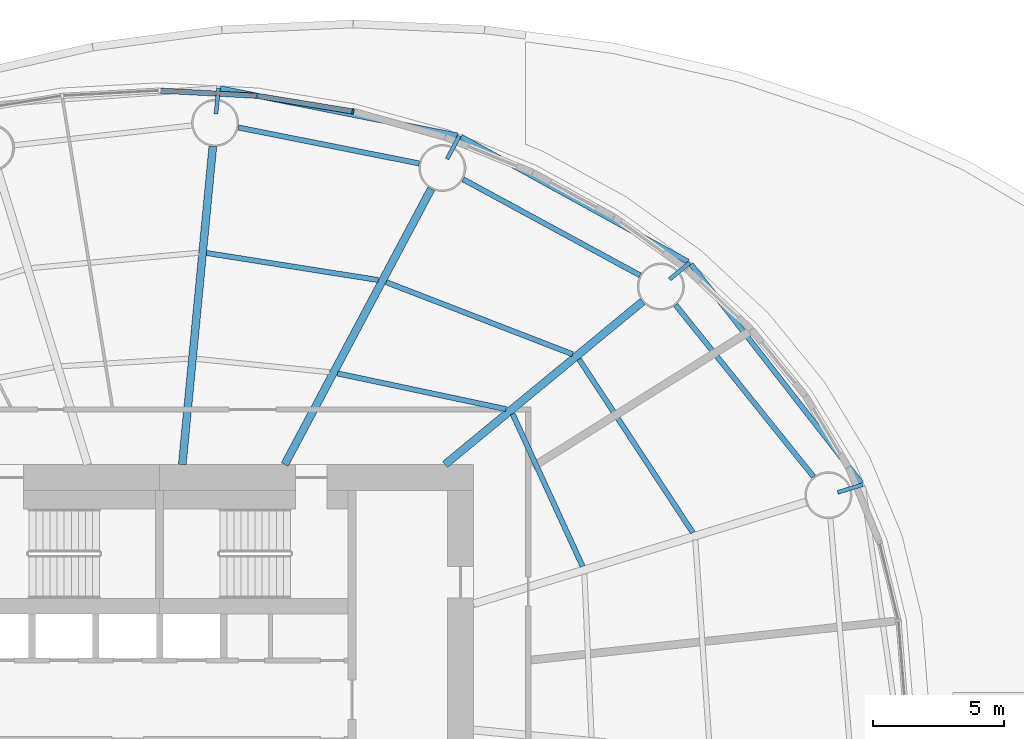
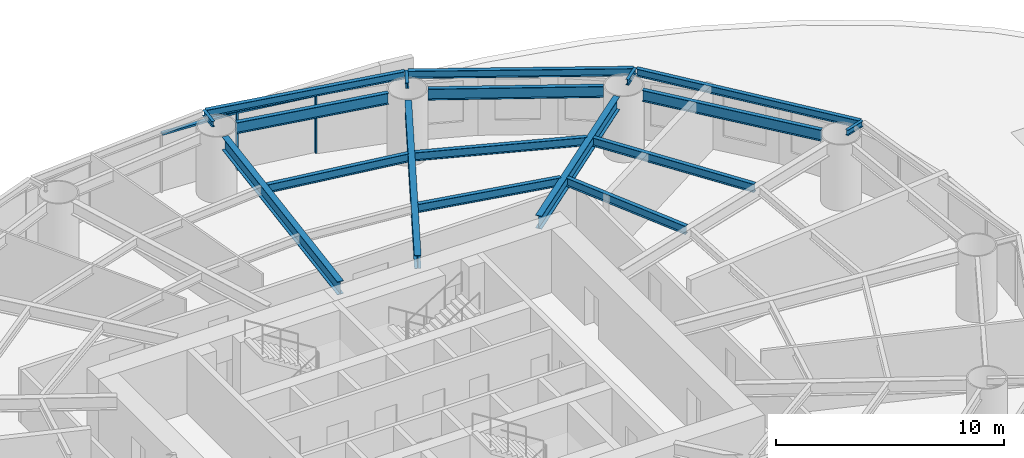
# One storey, part 5 of 11: 18 beams, 4 members, 2 elements without a shape of their own.
"""IFC4 building model written with IfcOpenShell, lengths in metres."""

from ifc_helpers import new_model, si_unit, direction, frame, origin, origin_2d, place, context, subcontext, project, spatial, rectangle, i_section, extrude, material, material_profile, profile_set, type_object, element, aggregate, save


model = new_model("IFC4")

# Units and contexts
model_context = context("Model", 3, precision=1e-05, world=origin(), true_north=direction((0.0, 1.0)))
body_context = subcontext(model_context, "Body", "Model", "MODEL_VIEW")
ifc_project = project(units=[si_unit("LENGTHUNIT", "METRE"), si_unit("AREAUNIT", "SQUARE_METRE"), si_unit("VOLUMEUNIT", "CUBIC_METRE"), si_unit("PLANEANGLEUNIT", "RADIAN"), si_unit("MASSUNIT", "GRAM", prefix="KILO")], contexts=[model_context])

# Site, building, storey
site_placement = place(None, origin())
site = spatial("IfcSite", under=ifc_project, at=site_placement, CompositionType="ELEMENT")
building_placement = place(site_placement, origin())
building = spatial("IfcBuilding", under=site, at=building_placement, Name="Vermilion Reach Broadcast Tower", CompositionType="ELEMENT")
storey_placement = place(building_placement, frame((0.0, 0.0, 36.0)))
storey = spatial("IfcBuildingStorey", under=building, at=storey_placement, Name="L05", CompositionType="ELEMENT", Elevation=36.0)

# Beams
ifc_material_1 = material(Name="Steel S355J2", Category="steel")
ifc_material_profile_1 = material_profile(ifc_material_1, i_section(OverallWidth=0.199951171875, OverallDepth=0.39990234375, WebThickness=0.008056640625, FlangeThickness=0.012939453125, at=origin_2d()), Name="S355J2 HN 400x200x8x13")
ifc_profile_set_1 = profile_set([ifc_material_profile_1], Name="Steel S355J2")
beam_type_1 = type_object("IfcBeamType", Name="EB1 HN 400x200x8x13", PredefinedType="BEAM", material=ifc_profile_set_1)
beam_1_placement = place(storey_placement, frame((20.8369140625, 8.288330078125, 3.35009765625), z_axis=(-0.614318139098, 0.789058441419, 0.0), x_axis=(-0.789058441419, -0.614318139098, 0.0)))
element("IfcBeam", 1, at=beam_1_placement, inside=storey, type_object=beam_type_1, Name="Edge beam EB1-01", PredefinedType="BEAM", context=body_context, shape_type="SweptSolid", body=[
    extrude(i_section(OverallWidth=0.199951171875, OverallDepth=0.39990234375, WebThickness=0.008056640625, FlangeThickness=0.012939453125, at=origin_2d()), origin(), (0.0, 0.0, 1.0), 10.608642578125),
])
beam_2_placement = place(storey_placement, frame((14.203125, 16.75732421875, 3.35009765625), z_axis=(-0.876134163844, 0.482067346898, 0.0), x_axis=(-0.482067346898, -0.876134163844, 0.0)))
element("IfcBeam", 2, at=beam_2_placement, inside=storey, type_object=beam_type_1, Name="Edge beam EB1-02", PredefinedType="BEAM", context=body_context, shape_type="SweptSolid", body=[
    extrude(i_section(OverallWidth=0.199951171875, OverallDepth=0.39990234375, WebThickness=0.008056640625, FlangeThickness=0.012939453125, at=origin_2d()), origin(), (0.0, 0.0, 1.0), 9.901611328125),
])
beam_3_placement = place(storey_placement, frame((5.385498046875, 21.58203125, 3.35009765625), z_axis=(-0.980799564765, 0.195018495933, 0.0), x_axis=(-0.195018495933, -0.980799564765, 0.0)))
element("IfcBeam", 3, at=beam_3_placement, inside=storey, type_object=beam_type_1, Name="Edge beam EB1-03", PredefinedType="BEAM", context=body_context, shape_type="SweptSolid", body=[
    extrude(i_section(OverallWidth=0.199951171875, OverallDepth=0.39990234375, WebThickness=0.008056640625, FlangeThickness=0.012939453125, at=origin_2d()), origin(), (0.0, 0.0, 1.0), 9.240234375),
])
ifc_material_2 = material(Name="Steel S355J2", Category="steel")
ifc_material_profile_2 = material_profile(ifc_material_2, i_section(OverallWidth=0.300048828125, OverallDepth=0.699951171875, WebThickness=0.012939453125, FlangeThickness=0.02392578125, at=origin_2d()), Name="S355J2 HN 700x300x13x24")
ifc_profile_set_2 = profile_set([ifc_material_profile_2], Name="Steel S355J2")
beam_type_2 = type_object("IfcBeamType", Name="G1 HN 700x300x13x24", PredefinedType="BEAM", material=ifc_profile_set_2)
beam_4_placement = place(storey_placement, frame((4.9140625, 9.0, 3.199951171875), z_axis=(0.771514256373, 0.636212034005, 0.0), x_axis=(-0.636212034005, 0.771514256373, 0.0)))
element("IfcBeam", 4, at=beam_4_placement, inside=storey, type_object=beam_type_2, Name="Girder G1-02", PredefinedType="BEAM", context=body_context, shape_type="SweptSolid", body=[
    extrude(i_section(OverallWidth=0.300048828125, OverallDepth=0.699951171875, WebThickness=0.012939453125, FlangeThickness=0.02392578125, at=origin_2d()), origin(), (0.0, 0.0, 1.0), 9.796142578125),
])
beam_5_placement = place(storey_placement, frame((-1.216552734375, 9.0, 3.199951171875), z_axis=(0.469312182262, 0.883032318537, 0.0), x_axis=(-0.883032318537, 0.469312182262, 0.0)))
element("IfcBeam", 5, at=beam_5_placement, inside=storey, type_object=beam_type_2, Name="Girder G1-03", PredefinedType="BEAM", context=body_context, shape_type="SweptSolid", body=[
    extrude(i_section(OverallWidth=0.300048828125, OverallDepth=0.699951171875, WebThickness=0.012939453125, FlangeThickness=0.02392578125, at=origin_2d()), origin(), (0.0, 0.0, 1.0), 11.94091796875),
])
beam_6_placement = place(storey_placement, frame((-5.135009765625, 9.0, 3.199951171875), z_axis=(0.09566673912, 0.995413419151, 0.0), x_axis=(-0.995413419151, 0.09566673912, 0.0)))
element("IfcBeam", 6, at=beam_6_placement, inside=storey, type_object=beam_type_2, Name="Girder G1-04", PredefinedType="BEAM", context=body_context, shape_type="SweptSolid", body=[
    extrude(i_section(OverallWidth=0.300048828125, OverallDepth=0.699951171875, WebThickness=0.012939453125, FlangeThickness=0.02392578125, at=origin_2d()), origin(), (0.0, 0.0, 1.0), 12.22412109375),
])
ifc_material_3 = material(Name="Steel S355J2", Category="steel")
ifc_material_profile_3 = material_profile(ifc_material_3, i_section(OverallWidth=0.14990234375, OverallDepth=0.300048828125, WebThickness=0.006591796875, FlangeThickness=0.009033203125, at=origin_2d()), Name="S355J2 HN 300x150x6.5x9")
ifc_profile_set_3 = profile_set([ifc_material_profile_3], Name="Steel S355J2")
beam_type_3 = type_object("IfcBeamType", Name="GS1 HN 300x150x6.5x9", PredefinedType="BEAM", material=ifc_profile_set_3)
for number, where, z_axis, x_axis, name in (
    (7, (19.929931640625, 7.9326171875, 3.39990234375), (0.95627383467, 0.292472824594, 0.0), (-0.292472824594, 0.95627383467, 0.0), "Cantilever stub GS1-01"),
    (8, (13.502197265625, 16.08203125, 3.39990234375), (0.771493112118, 0.636237674108, 0.0), (-0.636237674108, 0.771493112118, 0.0), "Cantilever stub GS1-02"),
    (9, (4.9931640625, 20.683837890625, 3.39990234375), (0.469244476458, 0.883068299348, 0.0), (-0.883068299348, 0.469244476458, 0.0), "Cantilever stub GS1-03"),
    (10, (-3.8466796875, 22.4033203125, 3.39990234375), (0.095707754417, 0.995409476419, 0.0), (-0.995409476419, 0.095707754417, 0.0), "Cantilever stub GS1-04"),
):
    element("IfcBeam", number, at=place(storey_placement, frame(where, z_axis=z_axis, x_axis=x_axis)), inside=storey, type_object=beam_type_3, Name=name, PredefinedType="BEAM", context=body_context, shape_type="SweptSolid", body=[
        extrude(i_section(OverallWidth=0.14990234375, OverallDepth=0.300048828125, WebThickness=0.006591796875, FlangeThickness=0.009033203125, at=origin_2d()), origin(), (0.0, 0.0, 1.0), 1.0),
    ])
ifc_material_4 = material(Name="Steel S355J2", Category="steel")
ifc_material_profile_4 = material_profile(ifc_material_4, i_section(OverallWidth=0.199951171875, OverallDepth=0.60009765625, WebThickness=0.010986328125, FlangeThickness=0.01708984375, at=origin_2d()), Name="S355J2 HN 600x200x11x17")
ifc_profile_set_4 = profile_set([ifc_material_profile_4], Name="Steel S355J2")
beam_type_4 = type_object("IfcBeamType", Name="RB1 HN 600x200x11x17", PredefinedType="BEAM", material=ifc_profile_set_4)
beam_7_placement = place(storey_placement, frame((19.011962890625, 8.52587890625, 3.25), z_axis=(-0.626162157191, 0.779692858055, 0.0), x_axis=(-0.779692858055, -0.626162157191, 0.0)))
element("IfcBeam", 11, at=beam_7_placement, inside=storey, type_object=beam_type_4, Name="Ring beam RB1-01", PredefinedType="BEAM", context=body_context, shape_type="SweptSolid", body=[
    extrude(i_section(OverallWidth=0.199951171875, OverallDepth=0.60009765625, WebThickness=0.010986328125, FlangeThickness=0.01708984375, at=origin_2d()), origin(), (0.0, 0.0, 1.0), 8.435791015625),
])
beam_8_placement = place(storey_placement, frame((12.375244140625, 16.234130859375, 3.25), z_axis=(-0.878962319551, 0.476891225344, 0.0), x_axis=(-0.476891225344, -0.878962319551, 0.0)))
element("IfcBeam", 12, at=beam_8_placement, inside=storey, type_object=beam_type_4, Name="Ring beam RB1-02", PredefinedType="BEAM", context=body_context, shape_type="SweptSolid", body=[
    extrude(i_section(OverallWidth=0.199951171875, OverallDepth=0.60009765625, WebThickness=0.010986328125, FlangeThickness=0.01708984375, at=origin_2d()), origin(), (0.0, 0.0, 1.0), 7.707275390625),
])
beam_9_placement = place(storey_placement, frame((3.927001953125, 20.51416015625, 3.25), z_axis=(-0.980857717995, 0.194725799651, 0.0), x_axis=(-0.194725799651, -0.980857717995, 0.0)))
element("IfcBeam", 13, at=beam_9_placement, inside=storey, type_object=beam_type_4, Name="Ring beam RB1-03", PredefinedType="BEAM", context=body_context, shape_type="SweptSolid", body=[
    extrude(i_section(OverallWidth=0.199951171875, OverallDepth=0.60009765625, WebThickness=0.010986328125, FlangeThickness=0.01708984375, at=origin_2d()), origin(), (0.0, 0.0, 1.0), 7.05859375),
])
ifc_material_5 = material(Name="Steel S355J2", Category="steel")
ifc_material_profile_5 = material_profile(ifc_material_5, i_section(OverallWidth=0.199951171875, OverallDepth=0.449951171875, WebThickness=0.009033203125, FlangeThickness=0.013916015625, at=origin_2d()), Name="S355J2 HN 450x200x9x14")
ifc_profile_set_5 = profile_set([ifc_material_profile_5], Name="Steel S355J2")
beam_type_5 = type_object("IfcBeamType", Name="SB1 HN 450x200x9x14", PredefinedType="BEAM", material=ifc_profile_set_5)
beam_10_placement = place(storey_placement, frame((10.175048828125, 5.105224609375, 3.324951171875), z_axis=(-0.417211452529, 0.908809443106, 0.0), x_axis=(-0.908809443106, -0.417211452529, 0.0)))
element("IfcBeam", 14, at=beam_10_placement, inside=storey, type_object=beam_type_5, Name="Secondary beam SB1-01-1", PredefinedType="BEAM", context=body_context, shape_type="SweptSolid", body=[
    extrude(i_section(OverallWidth=0.199951171875, OverallDepth=0.449951171875, WebThickness=0.009033203125, FlangeThickness=0.013916015625, at=origin_2d()), origin(), (0.0, 0.0, 1.0), 6.41650390625),
])
beam_11_placement = place(storey_placement, frame((14.390625, 6.394775390625, 3.324951171875), z_axis=(-0.548800909102, 0.835953086105, 0.0), x_axis=(-0.835953086105, -0.548800909102, 0.0)))
element("IfcBeam", 15, at=beam_11_placement, inside=storey, type_object=beam_type_5, Name="Secondary beam SB1-01-2", PredefinedType="BEAM", context=body_context, shape_type="SweptSolid", body=[
    extrude(i_section(OverallWidth=0.199951171875, OverallDepth=0.449951171875, WebThickness=0.009033203125, FlangeThickness=0.013916015625, at=origin_2d()), origin(), (0.0, 0.0, 1.0), 7.935791015625),
])
beam_12_placement = place(storey_placement, frame((7.24560546875, 11.1171875, 3.324951171875), z_axis=(-0.978270372412, 0.207333254596, 0.0), x_axis=(-0.207333254596, -0.978270372412, 0.0)))
element("IfcBeam", 16, at=beam_12_placement, inside=storey, type_object=beam_type_5, Name="Secondary beam SB1-02-1", PredefinedType="BEAM", context=body_context, shape_type="SweptSolid", body=[
    extrude(i_section(OverallWidth=0.199951171875, OverallDepth=0.449951171875, WebThickness=0.009033203125, FlangeThickness=0.013916015625, at=origin_2d()), origin(), (0.0, 0.0, 1.0), 6.584716796875),
])
beam_13_placement = place(storey_placement, frame((9.7919921875, 13.217041015625, 3.324951171875), z_axis=(-0.932680743753, 0.360702966765, 0.0), x_axis=(-0.360702966765, -0.932680743753, 0.0)))
element("IfcBeam", 17, at=beam_13_placement, inside=storey, type_object=beam_type_5, Name="Secondary beam SB1-02-2", PredefinedType="BEAM", context=body_context, shape_type="SweptSolid", body=[
    extrude(i_section(OverallWidth=0.199951171875, OverallDepth=0.449951171875, WebThickness=0.009033203125, FlangeThickness=0.013916015625, at=origin_2d()), origin(), (0.0, 0.0, 1.0), 7.646240234375),
])
beam_14_placement = place(storey_placement, frame((2.36279296875, 16.05419921875, 3.324951171875), z_axis=(-0.987829548379, 0.155540294938, 0.0), x_axis=(-0.155540294938, -0.987829548379, 0.0)))
element("IfcBeam", 18, at=beam_14_placement, inside=storey, type_object=beam_type_5, Name="Secondary beam SB1-03-2", PredefinedType="BEAM", context=body_context, shape_type="SweptSolid", body=[
    extrude(i_section(OverallWidth=0.199951171875, OverallDepth=0.449951171875, WebThickness=0.009033203125, FlangeThickness=0.013916015625, at=origin_2d()), origin(), (0.0, 0.0, 1.0), 6.650634765625),
])

# Curtain wall, member
ifc_material_6 = material(Name="Low-e laminated clear glass in aluminium frame", Category="aluminium")
curtain_wall_type = type_object("IfcCurtainWallType", Name="Slot curtain wall", PredefinedType="NOTDEFINED", material=ifc_material_6)
placement = place(storey_placement, origin())
curtain_wall_1 = element("IfcCurtainWall", 19, at=placement, inside=storey, type_object=curtain_wall_type, Name="Slot curtain wall L05 10", PredefinedType="NOTDEFINED")
ifc_material_7 = material(Name="Anodised aluminium", Category="aluminium")
ifc_material_profile_6 = material_profile(ifc_material_7, rectangle(XDim=0.199951171875, YDim=0.080078125, at=origin_2d()), Name="Slot mullion 80 x 200")
ifc_profile_set_6 = profile_set([ifc_material_profile_6], Name="Anodised aluminium")
member_type_1 = type_object("IfcMemberType", Name="Slot mullion 80 x 200", PredefinedType="MULLION", material=ifc_profile_set_6)
member_1_placement = place(storey_placement, frame((1.3896484375, 22.5029296875, 0.0), z_axis=(0.0, 0.0, 1.0), x_axis=(-0.214752382861, -0.97666852824, 0.0)))
member_1 = element("IfcMember", 20, at=member_1_placement, type_object=member_type_1, Name="Slot mullion L05 10", PredefinedType="MULLION", context=body_context, shape_type="SweptSolid", body=[
    extrude(rectangle(XDim=0.199951171875, YDim=0.080078125, at=origin_2d()), origin(), (0.0, 0.0, 1.0), 3.14990234375),
])

curtain_wall_2 = element("IfcCurtainWall", 21, at=placement, inside=storey, type_object=curtain_wall_type, Name="Slot curtain wall L05 11", PredefinedType="NOTDEFINED")
member_2_placement = place(storey_placement, frame((-2.27294921875, 23.099853515625, 0.0), z_axis=(0.0, 0.0, 1.0), x_axis=(-0.10740822796, -0.994215003189, 0.0)))
member_2 = element("IfcMember", 22, at=member_2_placement, type_object=member_type_1, Name="Slot mullion L05 11", PredefinedType="MULLION", context=body_context, shape_type="SweptSolid", body=[
    extrude(rectangle(XDim=0.199951171875, YDim=0.080078125, at=origin_2d()), origin(), (0.0, 0.0, 1.0), 3.14990234375),
])

# Member
ifc_material_8 = material(Name="Anodised aluminium", Category="aluminium")
ifc_material_profile_7 = material_profile(ifc_material_8, rectangle(XDim=0.199951171875, YDim=0.10009765625, at=origin_2d()), Name="Slot transom 200 x 100")
ifc_profile_set_7 = profile_set([ifc_material_profile_7], Name="Anodised aluminium")
member_type_2 = type_object("IfcMemberType", Name="Slot transom 200 x 100", PredefinedType="USERDEFINED", material=ifc_profile_set_7)
member_3_placement = place(storey_placement, frame((1.35009765625, 22.50927734375, 3.10009765625), z_axis=(-0.986971040368, 0.160897997112, 0.0), x_axis=(-0.160897997112, -0.986971040368, 0.0)))
member_3 = element("IfcMember", 23, at=member_3_placement, type_object=member_type_2, Name="Slot transom L05 10.1", ObjectType="TRANSOM", PredefinedType="USERDEFINED", context=body_context, shape_type="SweptSolid", body=[
    extrude(rectangle(XDim=0.199951171875, YDim=0.10009765625, at=origin_2d()), origin(), (0.0, 0.0, 1.0), 3.631103515625),
])

aggregate(curtain_wall_1, [member_1, member_3])

member_4_placement = place(storey_placement, frame((-2.31298828125, 23.10205078125, 3.10009765625), z_axis=(-0.998561876476, 0.053611368653, 0.0), x_axis=(-0.053611368653, -0.998561876476, 0.0)))
member_4 = element("IfcMember", 24, at=member_4_placement, type_object=member_type_2, Name="Slot transom L05 11.1", ObjectType="TRANSOM", PredefinedType="USERDEFINED", context=body_context, shape_type="SweptSolid", body=[
    extrude(rectangle(XDim=0.199951171875, YDim=0.10009765625, at=origin_2d()), origin(), (0.0, 0.0, 1.0), 3.65234375),
])

aggregate(curtain_wall_2, [member_2, member_4])

save(model, "model.ifc")
